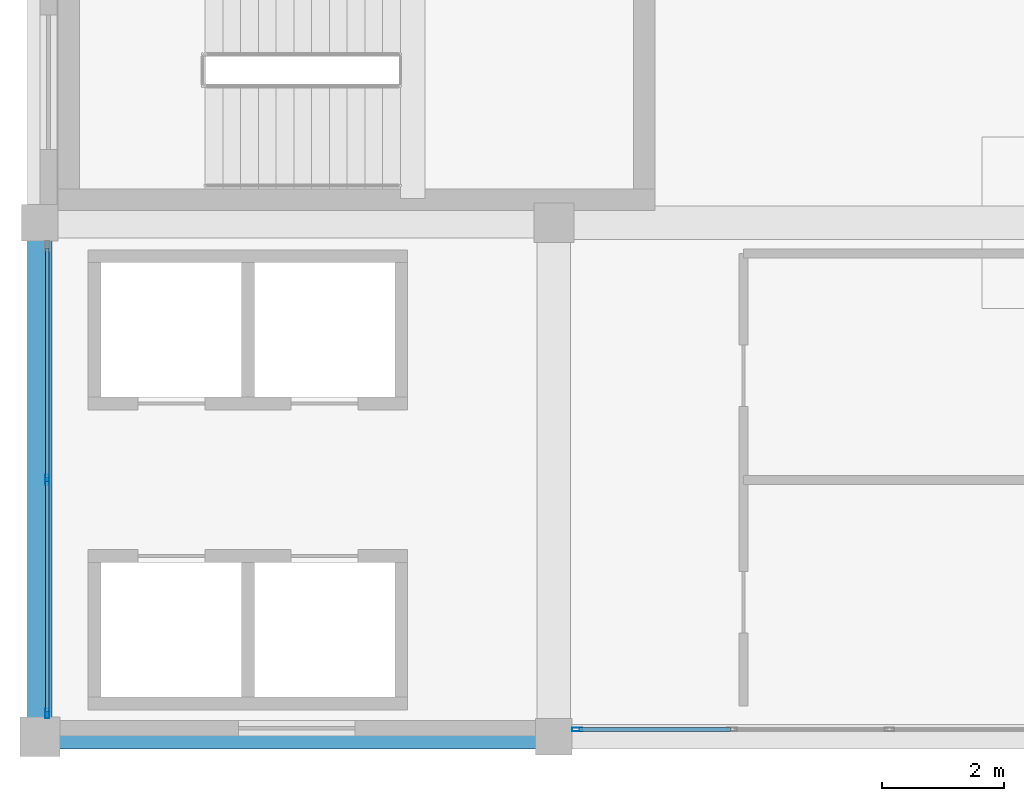
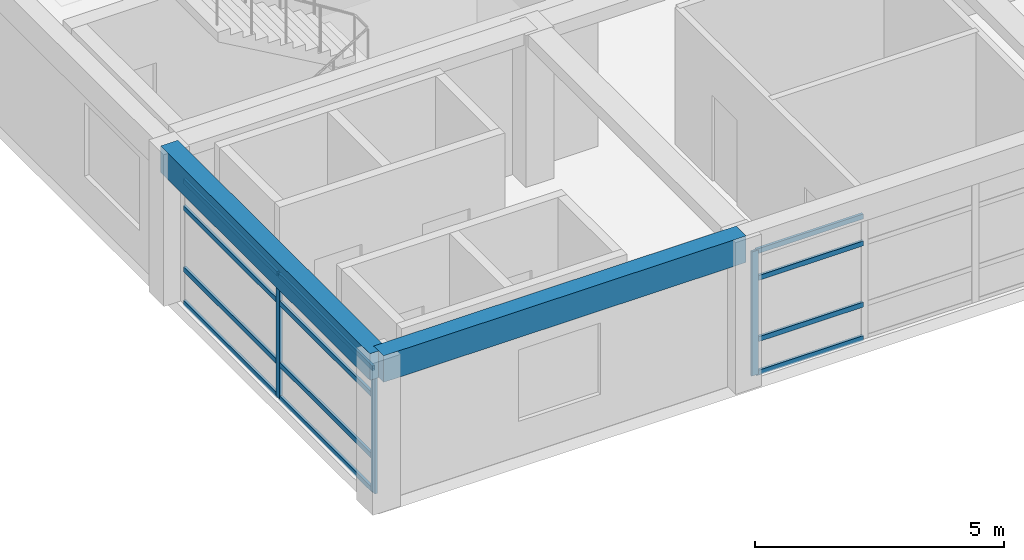
# One storey, part 2 of 26: 15 members, 2 beams, 2 elements without a shape of their own.
"""IFC4 building model written with IfcOpenShell, lengths in metres."""

from ifc_helpers import new_model, si_unit, direction, frame, origin, origin_2d, place, context, subcontext, project, spatial, rectangle, hollow_rectangle, extrude, material, material_profile, profile_set, type_object, element, aggregate, save


model = new_model("IFC4")

# Units and contexts
model_context = context("Model", 3, precision=1e-05, world=origin(), true_north=direction((0.0, 1.0)))
body_context = subcontext(model_context, "Body", "Model", "MODEL_VIEW")
ifc_project = project(units=[si_unit("LENGTHUNIT", "METRE"), si_unit("AREAUNIT", "SQUARE_METRE"), si_unit("VOLUMEUNIT", "CUBIC_METRE"), si_unit("PLANEANGLEUNIT", "RADIAN"), si_unit("MASSUNIT", "GRAM", prefix="KILO")], contexts=[model_context])

# Site, building, storey
site_placement = place(None, origin())
site = spatial("IfcSite", under=ifc_project, at=site_placement, CompositionType="ELEMENT")
building_placement = place(site_placement, origin())
building = spatial("IfcBuilding", under=site, at=building_placement, Name="Almacenes y Pasaje Nevantli", CompositionType="ELEMENT")
storey_placement = place(building_placement, frame((0.0, 0.0, 54.699951171875)))
storey = spatial("IfcBuildingStorey", under=building, at=storey_placement, Name="L13", CompositionType="ELEMENT", Elevation=54.699951171875)

# Beams
ifc_material_1 = material(Name="Concrete C35/45", Category="concrete")
ifc_material_profile_1 = material_profile(ifc_material_1, rectangle(XDim=0.39990234375, YDim=0.64990234375, at=origin_2d()), Name="RC-BM-400x650")
ifc_profile_set_1 = profile_set([ifc_material_profile_1], Name="Concrete C35/45")
beam_type = type_object("IfcBeamType", Name="BM-RC-400x650", PredefinedType="SPANDREL", material=ifc_profile_set_1)
beam_1_placement = place(storey_placement, frame((117.60009765625, 67.199951171875, 3.39501953125), z_axis=(1.0, 0.0, 0.0), x_axis=(0.0, 1.0, 0.0)))
element("IfcBeam", 1, at=beam_1_placement, inside=storey, type_object=beam_type, Name="L13 East-West Reinforced Concrete Beam #3938", PredefinedType="SPANDREL", context=body_context, shape_type="SweptSolid", body=[
    extrude(rectangle(XDim=0.39990234375, YDim=0.64990234375, at=origin_2d()), origin(), (0.0, 0.0, 1.0), 8.39990234375),
])
beam_2_placement = place(storey_placement, frame((117.60009765625, 67.199951171875, 3.39501953125), z_axis=(0.0, 1.0, 0.0), x_axis=(-1.0, 0.0, 0.0)))
element("IfcBeam", 2, at=beam_2_placement, inside=storey, type_object=beam_type, Name="L13 North-South Reinforced Concrete Beam #3963", PredefinedType="SPANDREL", context=body_context, shape_type="SweptSolid", body=[
    extrude(rectangle(XDim=0.39990234375, YDim=0.64990234375, at=origin_2d()), origin(), (0.0, 0.0, 1.0), 8.400146484375),
])

# Curtain wall, member
ifc_material_2 = material(Name="Thermally Broken Aluminium and Low-E Glass", Category="aluminium")
curtain_wall_type = type_object("IfcCurtainWallType", Name="CW-UNIT-TOWER", PredefinedType="USERDEFINED", material=ifc_material_2)
curtain_wall_1_placement = place(storey_placement, origin())
curtain_wall_1 = element("IfcCurtainWall", 3, at=curtain_wall_1_placement, inside=storey, type_object=curtain_wall_type, Name="L13 Tower South Unitized Curtain Wall Bay 16", ObjectType="UNITIZED CURTAIN WALL", PredefinedType="USERDEFINED")
ifc_material_3 = material(Name="Thermally Broken Anodized Aluminium", Category="aluminium")
ifc_material_profile_2 = material_profile(ifc_material_3, hollow_rectangle(XDim=0.06005859375, YDim=0.159912109375, WallThickness=0.00390625, at=origin_2d()), Name="ALU-MUL-60x160")
ifc_profile_set_2 = profile_set([ifc_material_profile_2], Name="Thermally Broken Anodized Aluminium")
member_type_1 = type_object("IfcMemberType", Name="CW-MUL-180", PredefinedType="MULLION", material=ifc_profile_set_2)
member_1_placement = place(storey_placement, frame((126.3798828125, 67.320068359375, 0.0), z_axis=(0.0, 0.0, 1.0), x_axis=(0.0, 1.0, 0.0)))
member_1 = element("IfcMember", 4, at=member_1_placement, type_object=member_type_1, Name="CW-L13-169 mullion 1", PredefinedType="MULLION", context=body_context, shape_type="SweptSolid", body=[
    extrude(hollow_rectangle(XDim=0.06005859375, YDim=0.159912109375, WallThickness=0.00390625, at=origin_2d()), origin(), (0.0, 0.0, 1.0), 3.0400390625),
])

# Curtain wall, members
curtain_wall_2_placement = place(storey_placement, origin())
curtain_wall_2 = element("IfcCurtainWall", 5, at=curtain_wall_2_placement, inside=storey, type_object=curtain_wall_type, Name="L13 Tower West Curtain Wall Bay 9", ObjectType="UNITIZED CURTAIN WALL", PredefinedType="USERDEFINED")
member_2_placement = place(storey_placement, frame((117.719970703125, 67.580078125, 0.0), z_axis=(0.0, 0.0, 1.0), x_axis=(-1.0, 0.0, 0.0)))
member_2 = element("IfcMember", 6, at=member_2_placement, type_object=member_type_1, Name="CW-L13-173 mullion 1", PredefinedType="MULLION", context=body_context, shape_type="SweptSolid", body=[
    extrude(hollow_rectangle(XDim=0.06005859375, YDim=0.159912109375, WallThickness=0.00390625, at=origin_2d()), origin(), (0.0, 0.0, 1.0), 3.0400390625),
])
member_3_placement = place(storey_placement, frame((117.719970703125, 71.39990234375, 0.0), z_axis=(0.0, 0.0, 1.0), x_axis=(-1.0, 0.0, 0.0)))
member_3 = element("IfcMember", 7, at=member_3_placement, type_object=member_type_1, Name="CW-L13-173 mullion 2", PredefinedType="MULLION", context=body_context, shape_type="SweptSolid", body=[
    extrude(hollow_rectangle(XDim=0.06005859375, YDim=0.159912109375, WallThickness=0.00390625, at=origin_2d()), origin(), (0.0, 0.0, 1.0), 3.0400390625),
])

# Member
ifc_material_4 = material(Name="Thermally Broken Anodized Aluminium", Category="aluminium")
ifc_material_profile_3 = material_profile(ifc_material_4, hollow_rectangle(XDim=0.06005859375, YDim=0.1201171875, WallThickness=0.00341796875, at=origin_2d()), Name="ALU-TRN-60x120")
ifc_profile_set_3 = profile_set([ifc_material_profile_3], Name="Thermally Broken Anodized Aluminium")
member_type_2 = type_object("IfcMemberType", Name="CW-TRN-130", PredefinedType="USERDEFINED", material=ifc_profile_set_3)
member_4_placement = place(storey_placement, frame((126.409912109375, 67.320068359375, 0.030029296875), z_axis=(1.0, 0.0, 0.0), x_axis=(0.0, 1.0, 0.0)))
member_4 = element("IfcMember", 8, at=member_4_placement, type_object=member_type_2, Name="CW-L13-169 transom 1.1", ObjectType="TRANSOM", PredefinedType="USERDEFINED", context=body_context, shape_type="SweptSolid", body=[
    extrude(hollow_rectangle(XDim=0.06005859375, YDim=0.1201171875, WallThickness=0.00341796875, at=origin_2d()), origin(), (0.0, 0.0, 1.0), 2.476806640625),
])

member_5_placement = place(storey_placement, frame((126.409912109375, 67.320068359375, 0.85009765625), z_axis=(1.0, 0.0, 0.0), x_axis=(0.0, 1.0, 0.0)))
member_5 = element("IfcMember", 9, at=member_5_placement, type_object=member_type_2, Name="CW-L13-169 transom 1.2", ObjectType="TRANSOM", PredefinedType="USERDEFINED", context=body_context, shape_type="SweptSolid", body=[
    extrude(hollow_rectangle(XDim=0.06005859375, YDim=0.1201171875, WallThickness=0.00341796875, at=origin_2d()), origin(), (0.0, 0.0, 1.0), 2.476806640625),
])

member_6_placement = place(storey_placement, frame((126.409912109375, 67.320068359375, 2.35009765625), z_axis=(1.0, 0.0, 0.0), x_axis=(0.0, 1.0, 0.0)))
member_6 = element("IfcMember", 10, at=member_6_placement, type_object=member_type_2, Name="CW-L13-169 transom 1.3", ObjectType="TRANSOM", PredefinedType="USERDEFINED", context=body_context, shape_type="SweptSolid", body=[
    extrude(hollow_rectangle(XDim=0.06005859375, YDim=0.1201171875, WallThickness=0.00341796875, at=origin_2d()), origin(), (0.0, 0.0, 1.0), 2.476806640625),
])

member_7_placement = place(storey_placement, frame((126.409912109375, 67.320068359375, 3.010009765625), z_axis=(1.0, 0.0, 0.0), x_axis=(0.0, 1.0, 0.0)))
member_7 = element("IfcMember", 11, at=member_7_placement, type_object=member_type_2, Name="CW-L13-169 transom 1.4", ObjectType="TRANSOM", PredefinedType="USERDEFINED", context=body_context, shape_type="SweptSolid", body=[
    extrude(hollow_rectangle(XDim=0.06005859375, YDim=0.1201171875, WallThickness=0.00341796875, at=origin_2d()), origin(), (0.0, 0.0, 1.0), 2.476806640625),
])

aggregate(curtain_wall_1, [member_1, member_4, member_5, member_6, member_7])

member_8_placement = place(storey_placement, frame((117.719970703125, 67.610107421875, 0.030029296875), z_axis=(0.0, 1.0, 0.0), x_axis=(-1.0, 0.0, 0.0)))
member_8 = element("IfcMember", 12, at=member_8_placement, type_object=member_type_2, Name="CW-L13-173 transom 1.1", ObjectType="TRANSOM", PredefinedType="USERDEFINED", context=body_context, shape_type="SweptSolid", body=[
    extrude(hollow_rectangle(XDim=0.06005859375, YDim=0.1201171875, WallThickness=0.00341796875, at=origin_2d()), origin(), (0.0, 0.0, 1.0), 3.760009765625),
])

member_9_placement = place(storey_placement, frame((117.719970703125, 67.610107421875, 0.85009765625), z_axis=(0.0, 1.0, 0.0), x_axis=(-1.0, 0.0, 0.0)))
member_9 = element("IfcMember", 13, at=member_9_placement, type_object=member_type_2, Name="CW-L13-173 transom 1.2", ObjectType="TRANSOM", PredefinedType="USERDEFINED", context=body_context, shape_type="SweptSolid", body=[
    extrude(hollow_rectangle(XDim=0.06005859375, YDim=0.1201171875, WallThickness=0.00341796875, at=origin_2d()), origin(), (0.0, 0.0, 1.0), 3.760009765625),
])

member_10_placement = place(storey_placement, frame((117.719970703125, 67.610107421875, 2.35009765625), z_axis=(0.0, 1.0, 0.0), x_axis=(-1.0, 0.0, 0.0)))
member_10 = element("IfcMember", 14, at=member_10_placement, type_object=member_type_2, Name="CW-L13-173 transom 1.3", ObjectType="TRANSOM", PredefinedType="USERDEFINED", context=body_context, shape_type="SweptSolid", body=[
    extrude(hollow_rectangle(XDim=0.06005859375, YDim=0.1201171875, WallThickness=0.00341796875, at=origin_2d()), origin(), (0.0, 0.0, 1.0), 3.760009765625),
])

member_11_placement = place(storey_placement, frame((117.719970703125, 67.610107421875, 3.010009765625), z_axis=(0.0, 1.0, 0.0), x_axis=(-1.0, 0.0, 0.0)))
member_11 = element("IfcMember", 15, at=member_11_placement, type_object=member_type_2, Name="CW-L13-173 transom 1.4", ObjectType="TRANSOM", PredefinedType="USERDEFINED", context=body_context, shape_type="SweptSolid", body=[
    extrude(hollow_rectangle(XDim=0.06005859375, YDim=0.1201171875, WallThickness=0.00341796875, at=origin_2d()), origin(), (0.0, 0.0, 1.0), 3.760009765625),
])

member_12_placement = place(storey_placement, frame((117.719970703125, 71.429931640625, 0.030029296875), z_axis=(0.0, 1.0, 0.0), x_axis=(-1.0, 0.0, 0.0)))
member_12 = element("IfcMember", 16, at=member_12_placement, type_object=member_type_2, Name="CW-L13-173 transom 2.1", ObjectType="TRANSOM", PredefinedType="USERDEFINED", context=body_context, shape_type="SweptSolid", body=[
    extrude(hollow_rectangle(XDim=0.06005859375, YDim=0.1201171875, WallThickness=0.00341796875, at=origin_2d()), origin(), (0.0, 0.0, 1.0), 3.760009765625),
])

member_13_placement = place(storey_placement, frame((117.719970703125, 71.429931640625, 0.85009765625), z_axis=(0.0, 1.0, 0.0), x_axis=(-1.0, 0.0, 0.0)))
member_13 = element("IfcMember", 17, at=member_13_placement, type_object=member_type_2, Name="CW-L13-173 transom 2.2", ObjectType="TRANSOM", PredefinedType="USERDEFINED", context=body_context, shape_type="SweptSolid", body=[
    extrude(hollow_rectangle(XDim=0.06005859375, YDim=0.1201171875, WallThickness=0.00341796875, at=origin_2d()), origin(), (0.0, 0.0, 1.0), 3.760009765625),
])

member_14_placement = place(storey_placement, frame((117.719970703125, 71.429931640625, 2.35009765625), z_axis=(0.0, 1.0, 0.0), x_axis=(-1.0, 0.0, 0.0)))
member_14 = element("IfcMember", 18, at=member_14_placement, type_object=member_type_2, Name="CW-L13-173 transom 2.3", ObjectType="TRANSOM", PredefinedType="USERDEFINED", context=body_context, shape_type="SweptSolid", body=[
    extrude(hollow_rectangle(XDim=0.06005859375, YDim=0.1201171875, WallThickness=0.00341796875, at=origin_2d()), origin(), (0.0, 0.0, 1.0), 3.760009765625),
])

member_15_placement = place(storey_placement, frame((117.719970703125, 71.429931640625, 3.010009765625), z_axis=(0.0, 1.0, 0.0), x_axis=(-1.0, 0.0, 0.0)))
member_15 = element("IfcMember", 19, at=member_15_placement, type_object=member_type_2, Name="CW-L13-173 transom 2.4", ObjectType="TRANSOM", PredefinedType="USERDEFINED", context=body_context, shape_type="SweptSolid", body=[
    extrude(hollow_rectangle(XDim=0.06005859375, YDim=0.1201171875, WallThickness=0.00341796875, at=origin_2d()), origin(), (0.0, 0.0, 1.0), 3.760009765625),
])

aggregate(curtain_wall_2, [member_2, member_3, member_8, member_9, member_10, member_11, member_12, member_13, member_14, member_15])

save(model, "model.ifc")
